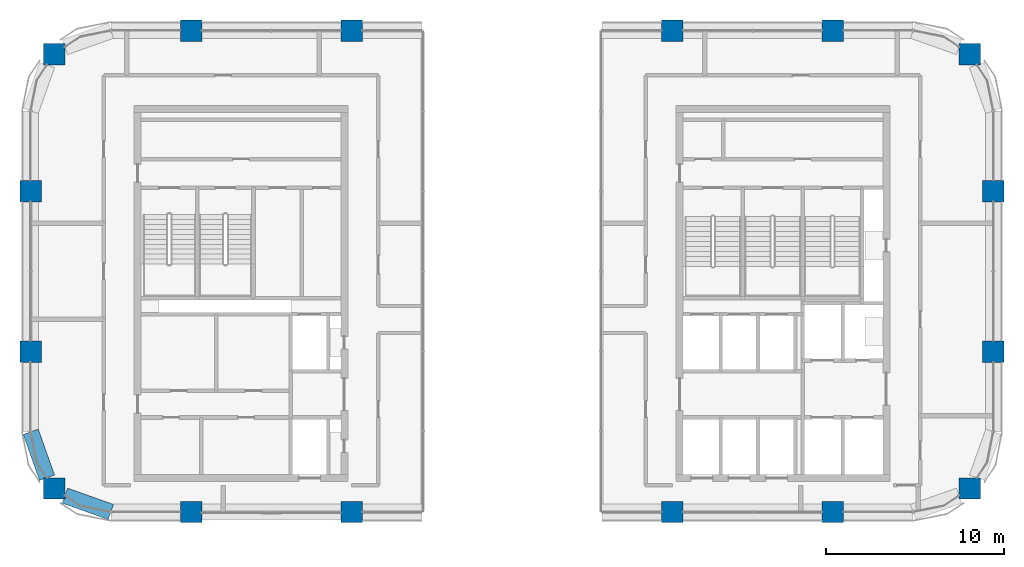
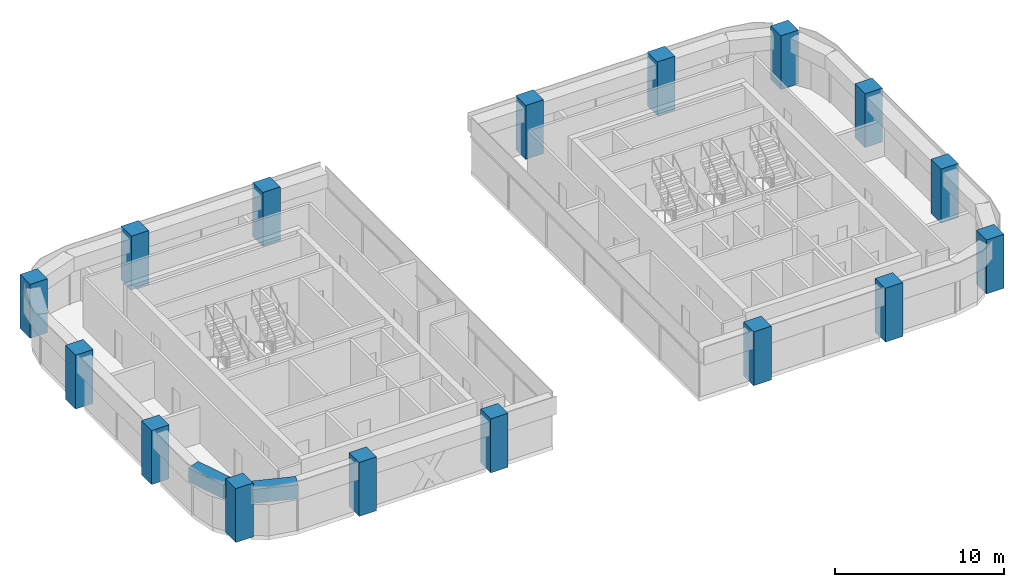
# One storey, part 1 of 12: 16 columns, 2 beams.
"""IFC4 building model written with IfcOpenShell, lengths in metres."""

from ifc_helpers import new_model, si_unit, direction, frame, origin, origin_2d, place, context, subcontext, project, spatial, rectangle, extrude, material, material_profile, profile_set, type_object, element, save


model = new_model("IFC4")

# Units and contexts
model_context = context("Model", 3, precision=1e-05, world=origin(), true_north=direction((0.0, 1.0)))
body_context = subcontext(model_context, "Body", "Model", "MODEL_VIEW")
ifc_project = project(units=[si_unit("LENGTHUNIT", "METRE"), si_unit("AREAUNIT", "SQUARE_METRE"), si_unit("VOLUMEUNIT", "CUBIC_METRE"), si_unit("PLANEANGLEUNIT", "RADIAN"), si_unit("MASSUNIT", "GRAM", prefix="KILO")], contexts=[model_context])

# Site, building, storey
site_placement = place(None, origin())
site = spatial("IfcSite", under=ifc_project, at=site_placement, CompositionType="ELEMENT")
building_placement = place(site_placement, origin())
building = spatial("IfcBuilding", under=site, at=building_placement, Name="Tessera Arch", CompositionType="ELEMENT")
storey_placement = place(building_placement, frame((0.0, 0.0, 207.199951171875)))
storey = spatial("IfcBuildingStorey", under=building, at=storey_placement, Name="L49", CompositionType="ELEMENT", Elevation=207.199951171875)

# Columns
ifc_material_1 = material(Name="Concrete C60/75", Category="concrete")
ifc_material_profile_1 = material_profile(ifc_material_1, rectangle(XDim=1.199951171875, YDim=1.199951171875, at=origin_2d()), Name="RC column 1200 x 1200 Concrete C60/75")
ifc_profile_set_1 = profile_set([ifc_material_profile_1], Name="Concrete C60/75")
column_type = type_object("IfcColumnType", Name="RC column 1200 x 1200 Concrete C60/75", PredefinedType="COLUMN", material=ifc_profile_set_1)
for number, where, z_axis, x_axis, name in (
    (1, (1.318115234375, 28.318115234375, 0.0), (0.0, 0.0, 1.0), (1.0, 0.0, 0.0), "Column C1D L49"),
    (2, (0.0, 36.0, 0.0), (0.0, 0.0, 1.0), (1.0, 0.0, 0.0), "Column C1E L49"),
    (3, (0.0, 45.0, 0.0), (0.0, 0.0, 1.0), (1.0, 0.0, 0.0), "Column C1F L49"),
    (4, (1.318115234375, 52.681884765625, 0.0), (0.0, 0.0, 1.0), (1.0, 0.0, 0.0), "Column C1G L49"),
    (5, (9.0, 27.0, 0.0), (0.0, 0.0, 1.0), (1.0, 0.0, 0.0), "Column C2D L49"),
    (6, (9.0, 54.0, 0.0), (0.0, 0.0, 1.0), (1.0, 0.0, 0.0), "Column C2G L49"),
    (7, (18.0, 27.0, 0.0), (0.0, 0.0, 1.0), (1.0, 0.0, 0.0), "Column C3D L49"),
    (8, (18.0, 54.0, 0.0), (0.0, 0.0, 1.0), (1.0, 0.0, 0.0), "Column C3G L49"),
    (9, (36.0, 27.0, 0.0), (0.0, 0.0, 1.0), (1.0, 0.0, 0.0), "Column C5D L49"),
    (10, (36.0, 54.0, 0.0), (0.0, 0.0, 1.0), (1.0, 0.0, 0.0), "Column C5G L49"),
    (11, (45.0, 27.0, 0.0), (0.0, 0.0, 1.0), (1.0, 0.0, 0.0), "Column C6D L49"),
    (12, (45.0, 54.0, 0.0), (0.0, 0.0, 1.0), (1.0, 0.0, 0.0), "Column C6G L49"),
    (13, (52.681884765625, 28.318115234375, 0.0), (0.0, 0.0, 1.0), (1.0, 0.0, 0.0), "Column C7D L49"),
    (14, (54.0, 36.0, 0.0), (0.0, 0.0, 1.0), (1.0, 0.0, 0.0), "Column C7E L49"),
    (15, (54.0, 45.0, 0.0), (0.0, 0.0, 1.0), (1.0, 0.0, 0.0), "Column C7F L49"),
    (16, (52.681884765625, 52.681884765625, 0.0), (0.0, 0.0, 1.0), (1.0, 0.0, 0.0), "Column C7G L49"),
):
    element("IfcColumn", number, at=place(storey_placement, frame(where, z_axis=z_axis, x_axis=x_axis)), inside=storey, type_object=column_type, Name=name, PredefinedType="COLUMN", context=body_context, shape_type="SweptSolid", body=[
        extrude(rectangle(XDim=1.199951171875, YDim=1.199951171875, at=origin_2d()), origin(), (0.0, 0.0, 1.0), 3.900146484375),
    ])

# Beams
ifc_material_2 = material(Name="Concrete C60/75", Category="concrete")
ifc_material_profile_2 = material_profile(ifc_material_2, rectangle(XDim=0.89990234375, YDim=1.0, at=origin_2d()), Name="RC spandrel beam 900 x 1000 Concrete C60/75")
ifc_profile_set_2 = profile_set([ifc_material_profile_2], Name="Concrete C60/75")
beam_type = type_object("IfcBeamType", Name="RC spandrel beam 900 x 1000 Concrete C60/75", PredefinedType="BEAM", material=ifc_profile_set_2)
for number, where, z_axis, x_axis, name in (
    (17, (0.0, 31.5, 3.10009765625), (0.334665114373, -0.942337127159, 0.0), (0.942337127159, 0.334665114373, 0.0), "Spandrel beam L49 W0.27/2.2"),
    (18, (1.91796875, 27.9169921875, 3.10009765625), (0.942337127159, -0.334665114373, 0.0), (0.334665114373, 0.942337127159, 0.0), "Spandrel beam L49 S27.0/2.1"),
):
    element("IfcBeam", number, at=place(storey_placement, frame(where, z_axis=z_axis, x_axis=x_axis)), inside=storey, type_object=beam_type, Name=name, PredefinedType="BEAM", context=body_context, shape_type="SweptSolid", body=[
        extrude(rectangle(XDim=0.89990234375, YDim=1.0, at=origin_2d()), origin(), (0.0, 0.0, 1.0), 2.739990234375),
    ])

save(model, "model.ifc")
